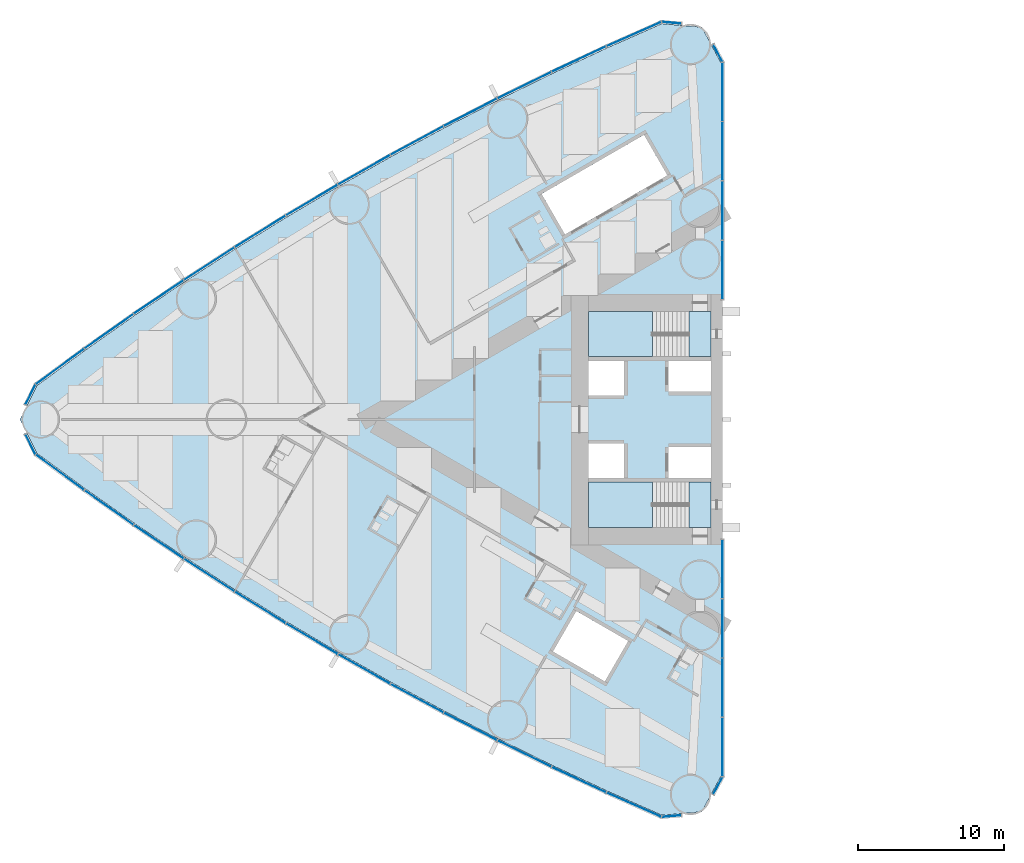
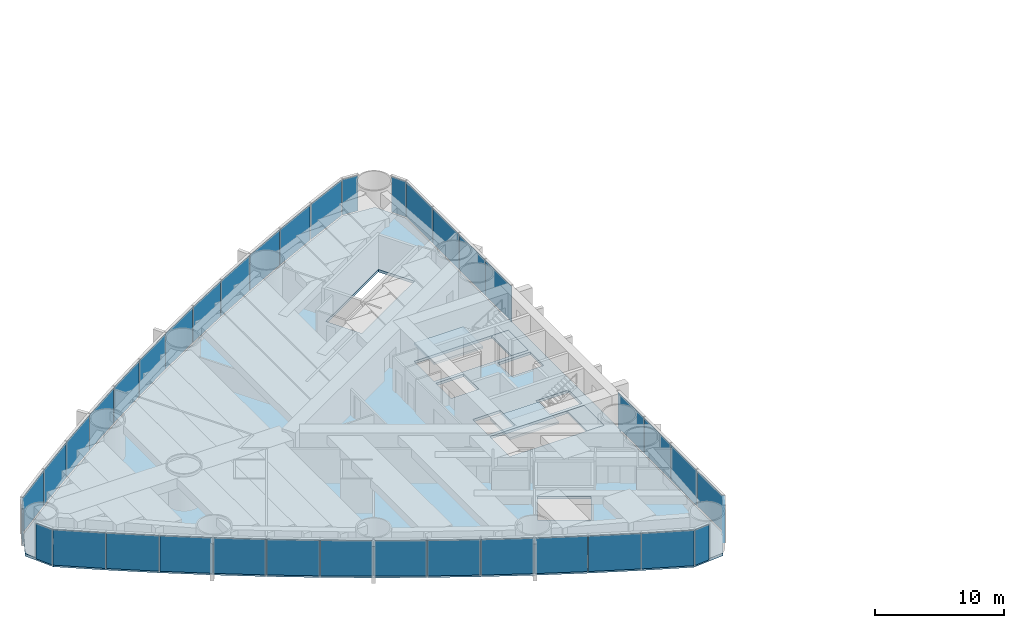
# One storey, part 9 of 19: 38 plates, 5 slabs, 6 elements without a shape of their own.
"""IFC4 building model written with IfcOpenShell, lengths in metres."""

from ifc_helpers import new_model, si_unit, direction, frame, origin, origin_2d, place, context, subcontext, project, spatial, polyline, rectangle, outline, extrude, material, layer, layer_set, type_object, element, aggregate, save


model = new_model("IFC4")

# Units and contexts
model_context = context("Model", 3, precision=1e-05, world=origin(), true_north=direction((0.0, 1.0)))
body_context = subcontext(model_context, "Body", "Model", "MODEL_VIEW")
ifc_project = project(units=[si_unit("LENGTHUNIT", "METRE"), si_unit("AREAUNIT", "SQUARE_METRE"), si_unit("VOLUMEUNIT", "CUBIC_METRE"), si_unit("PLANEANGLEUNIT", "RADIAN"), si_unit("MASSUNIT", "GRAM", prefix="KILO")], contexts=[model_context])

# Site, building, storey
site_placement = place(None, origin())
site = spatial("IfcSite", under=ifc_project, at=site_placement, CompositionType="ELEMENT")
building_placement = place(site_placement, origin())
building = spatial("IfcBuilding", under=site, at=building_placement, Name="Lancet Gate Hotel", CompositionType="ELEMENT")
storey_placement = place(building_placement, frame((0.0, 0.0, 74.0)))
storey = spatial("IfcBuildingStorey", under=building, at=storey_placement, Name="L19", CompositionType="ELEMENT", Elevation=74.0)

# Slab
ifc_material_1 = material(Name="Concrete C50/60", Category="concrete")
ifc_layer_1 = layer(ifc_material_1, 0.25)
ifc_layer_set_1 = layer_set([ifc_layer_1], Name="Floor slab 250")
slab_type_1 = type_object("IfcSlabType", Name="Floor slab 250", PredefinedType="FLOOR", material=ifc_layer_set_1)
slab_1_placement = place(storey_placement, frame((0.0, 0.0, -0.25)))
element("IfcSlab", 1, at=slab_1_placement, inside=storey, type_object=slab_type_1, Name="T1 L19 floor slab", PredefinedType="FLOOR", context=body_context, shape_type="SweptSolid", body=[
    extrude(outline(polyline([(-27.5, 8.60009765625), (-27.6201171875, 8.60009765625), (-27.6201171875, 24.4609375), (-28.926513671875, 26.8837890625), (-31.668212890625, 27.12353515625), (-35.424072265625, 25.458740234375), (-39.173583984375, 23.70849609375), (-42.887939453125, 21.884765625), (-46.56591796875, 19.98876953125), (-50.2060546875, 18.02099609375), (-53.806884765625, 15.982421875), (-57.366943359375, 13.87353515625), (-60.88525390625, 11.695068359375), (-64.360107421875, 9.448486328125), (-67.7900390625, 7.134033203125), (-71.17431640625, 4.752685546875), (-74.488525390625, 2.322021484375), (-75.65087890625, 0.0), (-74.488525390625, -2.322021484375), (-71.17431640625, -4.752685546875), (-67.7900390625, -7.134033203125), (-64.360107421875, -9.448486328125), (-60.88525390625, -11.695068359375), (-57.366943359375, -13.87353515625), (-53.806884765625, -15.982421875), (-50.2060546875, -18.02099609375), (-46.56591796875, -19.98876953125), (-42.887939453125, -21.884765625), (-39.173583984375, -23.70849609375), (-35.424072265625, -25.458740234375), (-31.668212890625, -27.12353515625), (-28.926513671875, -26.8837890625), (-27.6201171875, -24.4609375), (-27.6201171875, -8.60009765625), (-27.5, -8.60009765625), (-27.5, -8.199951171875), (-27.5, 8.199951171875), (-27.5, 8.60009765625)]), holes=[polyline([(-36.699951171875, 7.39990234375), (-36.699951171875, 4.300048828125), (-28.300048828125, 4.300048828125), (-28.300048828125, 7.39990234375), (-36.699951171875, 7.39990234375)]), polyline([(-28.300048828125, 4.0), (-31.199951171875, 4.0), (-31.199951171875, 1.89990234375), (-28.300048828125, 1.89990234375), (-28.300048828125, 4.0)]), polyline([(-34.25, 4.0), (-36.699951171875, 4.0), (-36.699951171875, 1.64990234375), (-34.25, 1.64990234375), (-34.25, 4.0)]), polyline([(-36.699951171875, -1.64990234375), (-36.699951171875, -4.0), (-34.25, -4.0), (-34.25, -1.64990234375), (-36.699951171875, -1.64990234375)]), polyline([(-28.300048828125, -1.89990234375), (-31.199951171875, -1.89990234375), (-31.199951171875, -4.0), (-28.300048828125, -4.0), (-28.300048828125, -1.89990234375)]), polyline([(-28.300048828125, -4.300048828125), (-36.699951171875, -4.300048828125), (-36.699951171875, -7.39990234375), (-28.300048828125, -7.39990234375), (-28.300048828125, -4.300048828125)]), polyline([(-31.2900390625, 16.73095703125), (-32.889892578125, 19.501953125), (-39.904052734375, 15.451904296875), (-38.303955078125, 12.680908203125), (-31.2900390625, 16.73095703125)]), polyline([(-33.97412109375, -15.180908203125), (-37.52490234375, -13.131103515625), (-39.125, -15.902099609375), (-35.573974609375, -17.951904296875), (-33.97412109375, -15.180908203125)])]), origin(), (0.0, 0.0, 1.0), 0.25),
])

# Stair, slabs
ifc_material_2 = material(Name="Exit stair 20 risers 1500")
stair_type = type_object("IfcStairType", Name="Exit stair 20 risers 1500", PredefinedType="HALF_TURN_STAIR", material=ifc_material_2)
stair_1_placement = place(storey_placement, origin())
stair_1 = element("IfcStair", 2, at=stair_1_placement, inside=storey, type_object=stair_type, Name="T1 stair 1 L19", PredefinedType="HALF_TURN_STAIR")
ifc_material_3 = material(Name="Concrete C40/50", Category="concrete")
ifc_layer_2 = layer(ifc_material_3, 0.199951171875)
ifc_layer_set_2 = layer_set([ifc_layer_2], Name="Stair landing 200")
slab_type_2 = type_object("IfcSlabType", Name="Stair landing 200", PredefinedType="LANDING", material=ifc_layer_set_2)
slab_2_placement = place(storey_placement, frame((0.0, 0.0, -0.199951171875)))
slab_2 = element("IfcSlab", 3, at=slab_2_placement, type_object=slab_type_2, Name="ST1 landing 1", PredefinedType="LANDING", context=body_context, shape_type="SweptSolid", body=[
    extrude(outline(polyline([(-28.300048828125, 7.39990234375), (-29.800048828125, 7.39990234375), (-29.800048828125, 4.300048828125), (-28.300048828125, 4.300048828125), (-28.300048828125, 7.39990234375)])), origin(), (0.0, 0.0, 1.0), 0.199951171875),
])
slab_3_placement = place(storey_placement, frame((0.0, 0.0, 1.550048828125)))
slab_3 = element("IfcSlab", 4, at=slab_3_placement, type_object=slab_type_2, Name="ST1 landing 2", PredefinedType="LANDING", context=body_context, shape_type="SweptSolid", body=[
    extrude(outline(polyline([(-32.320068359375, 7.39990234375), (-36.699951171875, 7.39990234375), (-36.699951171875, 4.300048828125), (-32.320068359375, 4.300048828125), (-32.320068359375, 7.39990234375)])), origin(), (0.0, 0.0, 1.0), 0.199951171875),
])
aggregate(stair_1, [slab_2, slab_3])

stair_2_placement = place(storey_placement, origin())
stair_2 = element("IfcStair", 5, at=stair_2_placement, inside=storey, type_object=stair_type, Name="T1 stair 2 L19", PredefinedType="HALF_TURN_STAIR")
slab_4_placement = place(storey_placement, frame((0.0, 0.0, -0.199951171875)))
slab_4 = element("IfcSlab", 6, at=slab_4_placement, type_object=slab_type_2, Name="ST2 landing 1", PredefinedType="LANDING", context=body_context, shape_type="SweptSolid", body=[
    extrude(outline(polyline([(-28.300048828125, -4.300048828125), (-29.800048828125, -4.300048828125), (-29.800048828125, -7.39990234375), (-28.300048828125, -7.39990234375), (-28.300048828125, -4.300048828125)])), origin(), (0.0, 0.0, 1.0), 0.199951171875),
])
slab_5_placement = place(storey_placement, frame((0.0, 0.0, 1.550048828125)))
slab_5 = element("IfcSlab", 7, at=slab_5_placement, type_object=slab_type_2, Name="ST2 landing 2", PredefinedType="LANDING", context=body_context, shape_type="SweptSolid", body=[
    extrude(outline(polyline([(-32.320068359375, -4.300048828125), (-36.699951171875, -4.300048828125), (-36.699951171875, -7.39990234375), (-32.320068359375, -7.39990234375), (-32.320068359375, -4.300048828125)])), origin(), (0.0, 0.0, 1.0), 0.199951171875),
])
aggregate(stair_2, [slab_4, slab_5])

# Curtain wall, plates
ifc_material_4 = material(Name="Aluminium curtain wall", Category="aluminium")
curtain_wall_type = type_object("IfcCurtainWallType", Name="Tower unitised curtain wall", PredefinedType="USERDEFINED", material=ifc_material_4)
curtain_wall_1_placement = place(storey_placement, origin())
curtain_wall_1 = element("IfcCurtainWall", 8, at=curtain_wall_1_placement, inside=storey, type_object=curtain_wall_type, Name="T1 L19 curtain wall 1", ObjectType="UNITISED CURTAIN WALL", PredefinedType="USERDEFINED")
ifc_material_5 = material(Name="Glass double glazed unit 8-16-6", Category="glass")
ifc_layer_3 = layer(ifc_material_5, 0.030029296875)
ifc_layer_set_3 = layer_set([ifc_layer_3], Name="Vision panel double glazed")
plate_type = type_object("IfcPlateType", Name="Vision panel double glazed", PredefinedType="CURTAIN_PANEL", material=ifc_layer_set_3)
plate_1_placement = place(storey_placement, frame((-27.5, 10.236328125, 0.0), z_axis=(0.0, 0.0, 1.0), x_axis=(0.0, 1.0, 0.0)))
plate_1 = element("IfcPlate", 9, at=plate_1_placement, type_object=plate_type, Name="T1 L19 curtain wall 1 panel 1", PredefinedType="CURTAIN_PANEL", context=body_context, shape_type="SweptSolid", body=[
    extrude(rectangle(XDim=4.0078125, YDim=0.030029296875, at=origin_2d()), origin(), (0.0, 0.0, 1.0), 3.35009765625),
])
plate_2_placement = place(storey_placement, frame((-27.5, 14.30908203125, 0.0), z_axis=(0.0, 0.0, 1.0), x_axis=(0.0, 1.0, 0.0)))
plate_2 = element("IfcPlate", 10, at=plate_2_placement, type_object=plate_type, Name="T1 L19 curtain wall 1 panel 2", PredefinedType="CURTAIN_PANEL", context=body_context, shape_type="SweptSolid", body=[
    extrude(rectangle(XDim=4.0078125, YDim=0.030029296875, at=origin_2d()), origin(), (0.0, 0.0, 1.0), 3.35009765625),
])
plate_3_placement = place(storey_placement, frame((-27.5, 18.382080078125, 0.0), z_axis=(0.0, 0.0, 1.0), x_axis=(0.0, 1.0, 0.0)))
plate_3 = element("IfcPlate", 11, at=plate_3_placement, type_object=plate_type, Name="T1 L19 curtain wall 1 panel 3", PredefinedType="CURTAIN_PANEL", context=body_context, shape_type="SweptSolid", body=[
    extrude(rectangle(XDim=4.0078125, YDim=0.030029296875, at=origin_2d()), origin(), (0.0, 0.0, 1.0), 3.35009765625),
])
plate_4_placement = place(storey_placement, frame((-27.5, 22.454833984375, 0.0), z_axis=(0.0, 0.0, 1.0), x_axis=(0.0, 1.0, 0.0)))
plate_4 = element("IfcPlate", 12, at=plate_4_placement, type_object=plate_type, Name="T1 L19 curtain wall 1 panel 4", PredefinedType="CURTAIN_PANEL", context=body_context, shape_type="SweptSolid", body=[
    extrude(rectangle(XDim=4.0078125, YDim=0.030029296875, at=origin_2d()), origin(), (0.0, 0.0, 1.0), 3.35009765625),
])
plate_5_placement = place(storey_placement, frame((-27.829345703125, 25.10205078125, 0.0), z_axis=(0.0, 0.0, 1.0), x_axis=(-0.474631040972, 0.880184852714, 0.0)))
plate_5 = element("IfcPlate", 13, at=plate_5_placement, type_object=plate_type, Name="T1 L19 curtain wall 1 panel 5", PredefinedType="CURTAIN_PANEL", context=body_context, shape_type="SweptSolid", body=[
    extrude(rectangle(XDim=1.322998046875, YDim=0.030029296875, at=origin_2d()), origin(), (0.0, 0.0, 1.0), 3.35009765625),
])
aggregate(curtain_wall_1, [plate_1, plate_2, plate_3, plate_4, plate_5])

curtain_wall_2_placement = place(storey_placement, origin())
curtain_wall_2 = element("IfcCurtainWall", 14, at=curtain_wall_2_placement, inside=storey, type_object=curtain_wall_type, Name="T1 L19 curtain wall 2", ObjectType="UNITISED CURTAIN WALL", PredefinedType="USERDEFINED")
plate_6_placement = place(storey_placement, frame((-30.99658203125, 27.185302734375, 0.0), z_axis=(0.0, 0.0, 1.0), x_axis=(-0.99620380374, 0.087051602022, 0.0)))
plate_6 = element("IfcPlate", 15, at=plate_6_placement, type_object=plate_type, Name="T1 L19 curtain wall 2 panel 1", PredefinedType="CURTAIN_PANEL", context=body_context, shape_type="SweptSolid", body=[
    extrude(rectangle(XDim=1.32421875, YDim=0.030029296875, at=origin_2d()), origin(), (0.0, 0.0, 1.0), 3.35009765625),
])
plate_7_placement = place(storey_placement, frame((-33.581298828125, 26.406982421875, 0.0), z_axis=(0.0, 0.0, 1.0), x_axis=(-0.914234183208, -0.405186201954, 0.0)))
plate_7 = element("IfcPlate", 16, at=plate_7_placement, type_object=plate_type, Name="T1 L19 curtain wall 2 panel 2", PredefinedType="CURTAIN_PANEL", context=body_context, shape_type="SweptSolid", body=[
    extrude(rectangle(XDim=4.0751953125, YDim=0.030029296875, at=origin_2d()), origin(), (0.0, 0.0, 1.0), 3.35009765625),
])
plate_8_placement = place(storey_placement, frame((-37.349609375, 24.6923828125, 0.0), z_axis=(0.0, 0.0, 1.0), x_axis=(-0.906117767284, -0.423025521467, 0.0)))
plate_8 = element("IfcPlate", 17, at=plate_8_placement, type_object=plate_type, Name="T1 L19 curtain wall 2 panel 3", PredefinedType="CURTAIN_PANEL", context=body_context, shape_type="SweptSolid", body=[
    extrude(rectangle(XDim=4.0751953125, YDim=0.030029296875, at=origin_2d()), origin(), (0.0, 0.0, 1.0), 3.35009765625),
])
plate_9_placement = place(storey_placement, frame((-41.083740234375, 22.904296875, 0.0), z_axis=(0.0, 0.0, 1.0), x_axis=(-0.897653295642, -0.440702349463, 0.0)))
plate_9 = element("IfcPlate", 18, at=plate_9_placement, type_object=plate_type, Name="T1 L19 curtain wall 2 panel 4", PredefinedType="CURTAIN_PANEL", context=body_context, shape_type="SweptSolid", body=[
    extrude(rectangle(XDim=4.0751953125, YDim=0.030029296875, at=origin_2d()), origin(), (0.0, 0.0, 1.0), 3.35009765625),
])
plate_10_placement = place(storey_placement, frame((-44.781982421875, 21.04345703125, 0.0), z_axis=(0.0, 0.0, 1.0), x_axis=(-0.888844019644, -0.458209895946, 0.0)))
plate_10 = element("IfcPlate", 19, at=plate_10_placement, type_object=plate_type, Name="T1 L19 curtain wall 2 panel 5", PredefinedType="CURTAIN_PANEL", context=body_context, shape_type="SweptSolid", body=[
    extrude(rectangle(XDim=4.0751953125, YDim=0.030029296875, at=origin_2d()), origin(), (0.0, 0.0, 1.0), 3.35009765625),
])
plate_11_placement = place(storey_placement, frame((-48.443115234375, 19.110595703125, 0.0), z_axis=(0.0, 0.0, 1.0), x_axis=(-0.87969332307, -0.475541435993, 0.0)))
plate_11 = element("IfcPlate", 20, at=plate_11_placement, type_object=plate_type, Name="T1 L19 curtain wall 2 panel 6", PredefinedType="CURTAIN_PANEL", context=body_context, shape_type="SweptSolid", body=[
    extrude(rectangle(XDim=4.0751953125, YDim=0.030029296875, at=origin_2d()), origin(), (0.0, 0.0, 1.0), 3.35009765625),
])
plate_12_placement = place(storey_placement, frame((-52.065673828125, 17.106201171875, 0.0), z_axis=(0.0, 0.0, 1.0), x_axis=(-0.870204720871, -0.492690312238, 0.0)))
plate_12 = element("IfcPlate", 21, at=plate_12_placement, type_object=plate_type, Name="T1 L19 curtain wall 2 panel 7", PredefinedType="CURTAIN_PANEL", context=body_context, shape_type="SweptSolid", body=[
    extrude(rectangle(XDim=4.0751953125, YDim=0.030029296875, at=origin_2d()), origin(), (0.0, 0.0, 1.0), 3.35009765625),
])
plate_13_placement = place(storey_placement, frame((-55.648193359375, 15.031005859375, 0.0), z_axis=(0.0, 0.0, 1.0), x_axis=(-0.860381857795, -0.509649937484, 0.0)))
plate_13 = element("IfcPlate", 22, at=plate_13_placement, type_object=plate_type, Name="T1 L19 curtain wall 2 panel 8", PredefinedType="CURTAIN_PANEL", context=body_context, shape_type="SweptSolid", body=[
    extrude(rectangle(XDim=4.0751953125, YDim=0.030029296875, at=origin_2d()), origin(), (0.0, 0.0, 1.0), 3.35009765625),
])
plate_14_placement = place(storey_placement, frame((-59.189208984375, 12.88623046875, 0.0), z_axis=(0.0, 0.0, 1.0), x_axis=(-0.850228506958, -0.52641379727, 0.0)))
plate_14 = element("IfcPlate", 23, at=plate_14_placement, type_object=plate_type, Name="T1 L19 curtain wall 2 panel 9", PredefinedType="CURTAIN_PANEL", context=body_context, shape_type="SweptSolid", body=[
    extrude(rectangle(XDim=4.0751953125, YDim=0.030029296875, at=origin_2d()), origin(), (0.0, 0.0, 1.0), 3.35009765625),
])
plate_15_placement = place(storey_placement, frame((-62.687744140625, 10.672607421875, 0.0), z_axis=(0.0, 0.0, 1.0), x_axis=(-0.839748568448, -0.54297545229, 0.0)))
plate_15 = element("IfcPlate", 24, at=plate_15_placement, type_object=plate_type, Name="T1 L19 curtain wall 2 panel 10", PredefinedType="CURTAIN_PANEL", context=body_context, shape_type="SweptSolid", body=[
    extrude(rectangle(XDim=4.0751953125, YDim=0.030029296875, at=origin_2d()), origin(), (0.0, 0.0, 1.0), 3.35009765625),
])
plate_16_placement = place(storey_placement, frame((-66.142333984375, 8.390625, 0.0), z_axis=(0.0, 0.0, 1.0), x_axis=(-0.828946067803, -0.559328540907, 0.0)))
plate_16 = element("IfcPlate", 25, at=plate_16_placement, type_object=plate_type, Name="T1 L19 curtain wall 2 panel 11", PredefinedType="CURTAIN_PANEL", context=body_context, shape_type="SweptSolid", body=[
    extrude(rectangle(XDim=4.0751953125, YDim=0.030029296875, at=origin_2d()), origin(), (0.0, 0.0, 1.0), 3.35009765625),
])
plate_17_placement = place(storey_placement, frame((-69.55126953125, 6.04150390625, 0.0), z_axis=(0.0, 0.0, 1.0), x_axis=(-0.817825154435, -0.575466781642, 0.0)))
plate_17 = element("IfcPlate", 26, at=plate_17_placement, type_object=plate_type, Name="T1 L19 curtain wall 2 panel 12", PredefinedType="CURTAIN_PANEL", context=body_context, shape_type="SweptSolid", body=[
    extrude(rectangle(XDim=4.0751953125, YDim=0.030029296875, at=origin_2d()), origin(), (0.0, 0.0, 1.0), 3.35009765625),
])
plate_18_placement = place(storey_placement, frame((-72.91357421875, 3.6259765625, 0.0), z_axis=(0.0, 0.0, 1.0), x_axis=(-0.80639010009, -0.591383975499, 0.0)))
plate_18 = element("IfcPlate", 27, at=plate_18_placement, type_object=plate_type, Name="T1 L19 curtain wall 2 panel 13", PredefinedType="CURTAIN_PANEL", context=body_context, shape_type="SweptSolid", body=[
    extrude(rectangle(XDim=4.0751953125, YDim=0.030029296875, at=origin_2d()), origin(), (0.0, 0.0, 1.0), 3.35009765625),
])
plate_19_placement = place(storey_placement, frame((-74.93505859375, 1.6982421875, 0.0), z_axis=(0.0, 0.0, 1.0), x_axis=(-0.447628324726, -0.89421970617, 0.0)))
plate_19 = element("IfcPlate", 28, at=plate_19_placement, type_object=plate_type, Name="T1 L19 curtain wall 2 panel 14", PredefinedType="CURTAIN_PANEL", context=body_context, shape_type="SweptSolid", body=[
    extrude(rectangle(XDim=1.50830078125, YDim=0.030029296875, at=origin_2d()), origin(), (0.0, 0.0, 1.0), 3.35009765625),
])
aggregate(curtain_wall_2, [plate_6, plate_7, plate_8, plate_9, plate_10, plate_11, plate_12, plate_13, plate_14, plate_15, plate_16, plate_17, plate_18, plate_19])

curtain_wall_3_placement = place(storey_placement, origin())
curtain_wall_3 = element("IfcCurtainWall", 29, at=curtain_wall_3_placement, inside=storey, type_object=curtain_wall_type, Name="T1 L19 curtain wall 3", ObjectType="UNITISED CURTAIN WALL", PredefinedType="USERDEFINED")
plate_20_placement = place(storey_placement, frame((-74.93505859375, -1.6982421875, 0.0), z_axis=(0.0, 0.0, 1.0), x_axis=(0.447628324726, -0.89421970617, 0.0)))
plate_20 = element("IfcPlate", 30, at=plate_20_placement, type_object=plate_type, Name="T1 L19 curtain wall 3 panel 1", PredefinedType="CURTAIN_PANEL", context=body_context, shape_type="SweptSolid", body=[
    extrude(rectangle(XDim=1.50830078125, YDim=0.030029296875, at=origin_2d()), origin(), (0.0, 0.0, 1.0), 3.35009765625),
])
plate_21_placement = place(storey_placement, frame((-72.91357421875, -3.6259765625, 0.0), z_axis=(0.0, 0.0, 1.0), x_axis=(0.80639010009, -0.591383975499, 0.0)))
plate_21 = element("IfcPlate", 31, at=plate_21_placement, type_object=plate_type, Name="T1 L19 curtain wall 3 panel 2", PredefinedType="CURTAIN_PANEL", context=body_context, shape_type="SweptSolid", body=[
    extrude(rectangle(XDim=4.0751953125, YDim=0.030029296875, at=origin_2d()), origin(), (0.0, 0.0, 1.0), 3.35009765625),
])
plate_22_placement = place(storey_placement, frame((-69.55126953125, -6.04150390625, 0.0), z_axis=(0.0, 0.0, 1.0), x_axis=(0.817825154435, -0.575466781642, 0.0)))
plate_22 = element("IfcPlate", 32, at=plate_22_placement, type_object=plate_type, Name="T1 L19 curtain wall 3 panel 3", PredefinedType="CURTAIN_PANEL", context=body_context, shape_type="SweptSolid", body=[
    extrude(rectangle(XDim=4.0751953125, YDim=0.030029296875, at=origin_2d()), origin(), (0.0, 0.0, 1.0), 3.35009765625),
])
plate_23_placement = place(storey_placement, frame((-66.142333984375, -8.390625, 0.0), z_axis=(0.0, 0.0, 1.0), x_axis=(0.828946067803, -0.559328540907, 0.0)))
plate_23 = element("IfcPlate", 33, at=plate_23_placement, type_object=plate_type, Name="T1 L19 curtain wall 3 panel 4", PredefinedType="CURTAIN_PANEL", context=body_context, shape_type="SweptSolid", body=[
    extrude(rectangle(XDim=4.0751953125, YDim=0.030029296875, at=origin_2d()), origin(), (0.0, 0.0, 1.0), 3.35009765625),
])
plate_24_placement = place(storey_placement, frame((-62.687744140625, -10.672607421875, 0.0), z_axis=(0.0, 0.0, 1.0), x_axis=(0.839748568448, -0.54297545229, 0.0)))
plate_24 = element("IfcPlate", 34, at=plate_24_placement, type_object=plate_type, Name="T1 L19 curtain wall 3 panel 5", PredefinedType="CURTAIN_PANEL", context=body_context, shape_type="SweptSolid", body=[
    extrude(rectangle(XDim=4.0751953125, YDim=0.030029296875, at=origin_2d()), origin(), (0.0, 0.0, 1.0), 3.35009765625),
])
plate_25_placement = place(storey_placement, frame((-59.189208984375, -12.88623046875, 0.0), z_axis=(0.0, 0.0, 1.0), x_axis=(0.850228506958, -0.52641379727, 0.0)))
plate_25 = element("IfcPlate", 35, at=plate_25_placement, type_object=plate_type, Name="T1 L19 curtain wall 3 panel 6", PredefinedType="CURTAIN_PANEL", context=body_context, shape_type="SweptSolid", body=[
    extrude(rectangle(XDim=4.0751953125, YDim=0.030029296875, at=origin_2d()), origin(), (0.0, 0.0, 1.0), 3.35009765625),
])
plate_26_placement = place(storey_placement, frame((-55.648193359375, -15.031005859375, 0.0), z_axis=(0.0, 0.0, 1.0), x_axis=(0.860381857795, -0.509649937484, 0.0)))
plate_26 = element("IfcPlate", 36, at=plate_26_placement, type_object=plate_type, Name="T1 L19 curtain wall 3 panel 7", PredefinedType="CURTAIN_PANEL", context=body_context, shape_type="SweptSolid", body=[
    extrude(rectangle(XDim=4.0751953125, YDim=0.030029296875, at=origin_2d()), origin(), (0.0, 0.0, 1.0), 3.35009765625),
])
plate_27_placement = place(storey_placement, frame((-52.065673828125, -17.106201171875, 0.0), z_axis=(0.0, 0.0, 1.0), x_axis=(0.870204720871, -0.492690312238, 0.0)))
plate_27 = element("IfcPlate", 37, at=plate_27_placement, type_object=plate_type, Name="T1 L19 curtain wall 3 panel 8", PredefinedType="CURTAIN_PANEL", context=body_context, shape_type="SweptSolid", body=[
    extrude(rectangle(XDim=4.0751953125, YDim=0.030029296875, at=origin_2d()), origin(), (0.0, 0.0, 1.0), 3.35009765625),
])
plate_28_placement = place(storey_placement, frame((-48.443115234375, -19.110595703125, 0.0), z_axis=(0.0, 0.0, 1.0), x_axis=(0.87969332307, -0.475541435993, 0.0)))
plate_28 = element("IfcPlate", 38, at=plate_28_placement, type_object=plate_type, Name="T1 L19 curtain wall 3 panel 9", PredefinedType="CURTAIN_PANEL", context=body_context, shape_type="SweptSolid", body=[
    extrude(rectangle(XDim=4.0751953125, YDim=0.030029296875, at=origin_2d()), origin(), (0.0, 0.0, 1.0), 3.35009765625),
])
plate_29_placement = place(storey_placement, frame((-44.781982421875, -21.04345703125, 0.0), z_axis=(0.0, 0.0, 1.0), x_axis=(0.888844019644, -0.458209895946, 0.0)))
plate_29 = element("IfcPlate", 39, at=plate_29_placement, type_object=plate_type, Name="T1 L19 curtain wall 3 panel 10", PredefinedType="CURTAIN_PANEL", context=body_context, shape_type="SweptSolid", body=[
    extrude(rectangle(XDim=4.0751953125, YDim=0.030029296875, at=origin_2d()), origin(), (0.0, 0.0, 1.0), 3.35009765625),
])
plate_30_placement = place(storey_placement, frame((-41.083740234375, -22.904296875, 0.0), z_axis=(0.0, 0.0, 1.0), x_axis=(0.897653295642, -0.440702349463, 0.0)))
plate_30 = element("IfcPlate", 40, at=plate_30_placement, type_object=plate_type, Name="T1 L19 curtain wall 3 panel 11", PredefinedType="CURTAIN_PANEL", context=body_context, shape_type="SweptSolid", body=[
    extrude(rectangle(XDim=4.0751953125, YDim=0.030029296875, at=origin_2d()), origin(), (0.0, 0.0, 1.0), 3.35009765625),
])
plate_31_placement = place(storey_placement, frame((-37.349609375, -24.6923828125, 0.0), z_axis=(0.0, 0.0, 1.0), x_axis=(0.906117767284, -0.423025521467, 0.0)))
plate_31 = element("IfcPlate", 41, at=plate_31_placement, type_object=plate_type, Name="T1 L19 curtain wall 3 panel 12", PredefinedType="CURTAIN_PANEL", context=body_context, shape_type="SweptSolid", body=[
    extrude(rectangle(XDim=4.0751953125, YDim=0.030029296875, at=origin_2d()), origin(), (0.0, 0.0, 1.0), 3.35009765625),
])
plate_32_placement = place(storey_placement, frame((-33.581298828125, -26.406982421875, 0.0), z_axis=(0.0, 0.0, 1.0), x_axis=(0.914234183208, -0.405186201954, 0.0)))
plate_32 = element("IfcPlate", 42, at=plate_32_placement, type_object=plate_type, Name="T1 L19 curtain wall 3 panel 13", PredefinedType="CURTAIN_PANEL", context=body_context, shape_type="SweptSolid", body=[
    extrude(rectangle(XDim=4.0751953125, YDim=0.030029296875, at=origin_2d()), origin(), (0.0, 0.0, 1.0), 3.35009765625),
])
plate_33_placement = place(storey_placement, frame((-30.99658203125, -27.185302734375, 0.0), z_axis=(0.0, 0.0, 1.0), x_axis=(0.99620380374, 0.087051602022, 0.0)))
plate_33 = element("IfcPlate", 43, at=plate_33_placement, type_object=plate_type, Name="T1 L19 curtain wall 3 panel 14", PredefinedType="CURTAIN_PANEL", context=body_context, shape_type="SweptSolid", body=[
    extrude(rectangle(XDim=1.32421875, YDim=0.030029296875, at=origin_2d()), origin(), (0.0, 0.0, 1.0), 3.35009765625),
])
aggregate(curtain_wall_3, [plate_20, plate_21, plate_22, plate_23, plate_24, plate_25, plate_26, plate_27, plate_28, plate_29, plate_30, plate_31, plate_32, plate_33])

curtain_wall_4_placement = place(storey_placement, origin())
curtain_wall_4 = element("IfcCurtainWall", 44, at=curtain_wall_4_placement, inside=storey, type_object=curtain_wall_type, Name="T1 L19 curtain wall 4", ObjectType="UNITISED CURTAIN WALL", PredefinedType="USERDEFINED")
plate_34_placement = place(storey_placement, frame((-27.829345703125, -25.10205078125, 0.0), z_axis=(0.0, 0.0, 1.0), x_axis=(0.474631040972, 0.880184852714, 0.0)))
plate_34 = element("IfcPlate", 45, at=plate_34_placement, type_object=plate_type, Name="T1 L19 curtain wall 4 panel 1", PredefinedType="CURTAIN_PANEL", context=body_context, shape_type="SweptSolid", body=[
    extrude(rectangle(XDim=1.322998046875, YDim=0.030029296875, at=origin_2d()), origin(), (0.0, 0.0, 1.0), 3.35009765625),
])
plate_35_placement = place(storey_placement, frame((-27.5, -22.454833984375, 0.0), z_axis=(0.0, 0.0, 1.0), x_axis=(0.0, 1.0, 0.0)))
plate_35 = element("IfcPlate", 46, at=plate_35_placement, type_object=plate_type, Name="T1 L19 curtain wall 4 panel 2", PredefinedType="CURTAIN_PANEL", context=body_context, shape_type="SweptSolid", body=[
    extrude(rectangle(XDim=4.0078125, YDim=0.030029296875, at=origin_2d()), origin(), (0.0, 0.0, 1.0), 3.35009765625),
])
plate_36_placement = place(storey_placement, frame((-27.5, -18.382080078125, 0.0), z_axis=(0.0, 0.0, 1.0), x_axis=(0.0, 1.0, 0.0)))
plate_36 = element("IfcPlate", 47, at=plate_36_placement, type_object=plate_type, Name="T1 L19 curtain wall 4 panel 3", PredefinedType="CURTAIN_PANEL", context=body_context, shape_type="SweptSolid", body=[
    extrude(rectangle(XDim=4.0078125, YDim=0.030029296875, at=origin_2d()), origin(), (0.0, 0.0, 1.0), 3.35009765625),
])
plate_37_placement = place(storey_placement, frame((-27.5, -14.30908203125, 0.0), z_axis=(0.0, 0.0, 1.0), x_axis=(0.0, 1.0, 0.0)))
plate_37 = element("IfcPlate", 48, at=plate_37_placement, type_object=plate_type, Name="T1 L19 curtain wall 4 panel 4", PredefinedType="CURTAIN_PANEL", context=body_context, shape_type="SweptSolid", body=[
    extrude(rectangle(XDim=4.0078125, YDim=0.030029296875, at=origin_2d()), origin(), (0.0, 0.0, 1.0), 3.35009765625),
])
plate_38_placement = place(storey_placement, frame((-27.5, -10.236328125, 0.0), z_axis=(0.0, 0.0, 1.0), x_axis=(0.0, 1.0, 0.0)))
plate_38 = element("IfcPlate", 49, at=plate_38_placement, type_object=plate_type, Name="T1 L19 curtain wall 4 panel 5", PredefinedType="CURTAIN_PANEL", context=body_context, shape_type="SweptSolid", body=[
    extrude(rectangle(XDim=4.0078125, YDim=0.030029296875, at=origin_2d()), origin(), (0.0, 0.0, 1.0), 3.35009765625),
])
aggregate(curtain_wall_4, [plate_34, plate_35, plate_36, plate_37, plate_38])

save(model, "model.ifc")
